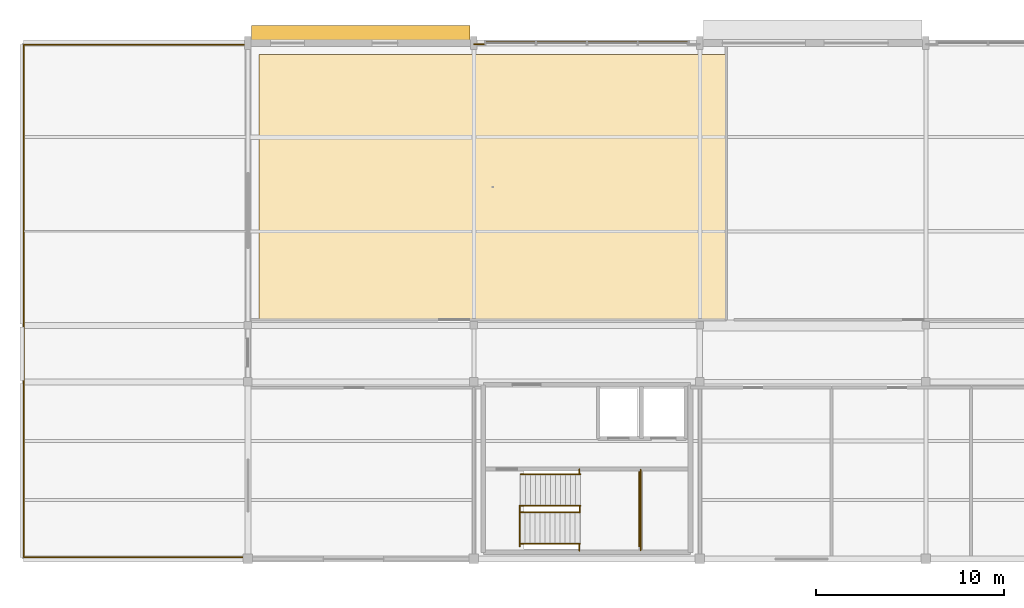
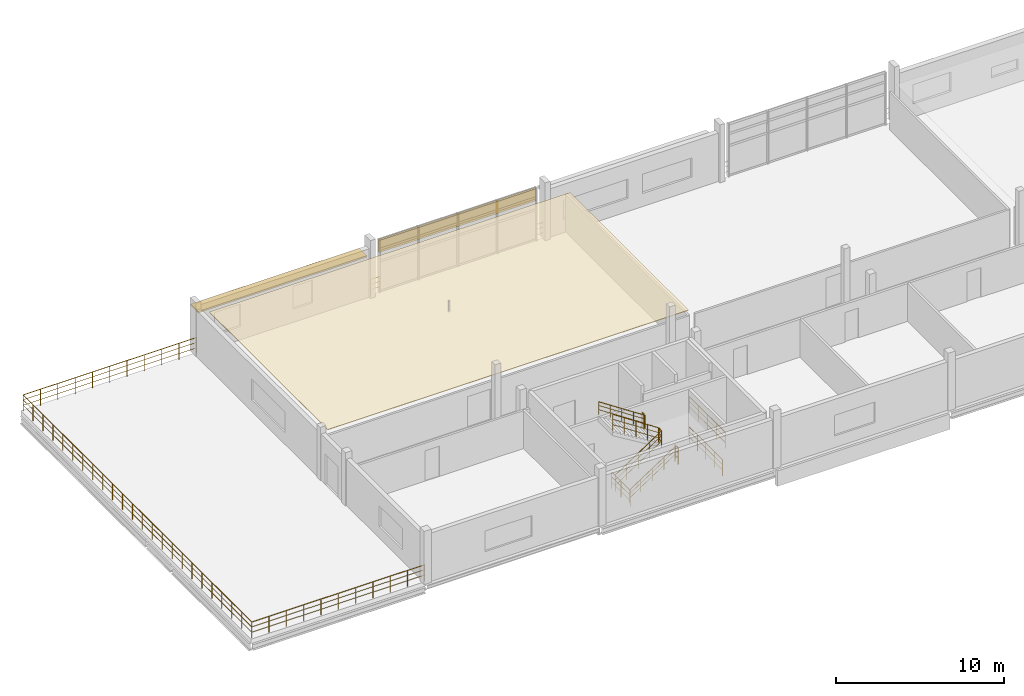
# One storey, part 12 of 13: 14 railings, 2 coverings, 1 shading device.
"""IFC4 building model written with IfcOpenShell, lengths in metres."""

import ifcopenshell
import ifcopenshell.guid

model = None  # the IFC model being written
_history = None  # IfcOwnerHistory: only IFC2X3 demands one
_inside = {}  # id of a spatial element -> (the spatial element, [elements in it])
_under = {}  # id of a project, library or spatial element -> (it, [spatial elements below it])
_declared = {}  # id of a project -> (the project, [libraries it declares])
_typed = {}  # id of a type object -> (the type object, [elements of that type])
_made_of = {}  # id of a material, layer set ... -> (it, [elements and type objects made of it])


def new_model(schema):
    """Start an empty IFC model of exactly this schema.

    Asked for "IFC4X3", IfcOpenShell would pick the latest addendum, in which some entities
    have other attributes; the version numbers below select the first issue.
    IFC2X3 requires an IfcOwnerHistory on every rooted entity: one is made here for all.
    """
    global model, _history
    if schema == "IFC4X3":
        model = ifcopenshell.file(schema_version=(4, 3, 0, 0))
    else:
        model = ifcopenshell.file(schema=schema)
    _inside.clear()
    _under.clear()
    _declared.clear()
    _typed.clear()
    _made_of.clear()
    _history = None
    if model.schema == "IFC2X3":
        org = make("IfcOrganization", Name="unknown")
        user = make(
            "IfcPersonAndOrganization",
            ThePerson=make("IfcPerson", FamilyName="unknown"),
            TheOrganization=org,
        )
        app = make(
            "IfcApplication",
            ApplicationDeveloper=org,
            Version="unknown",
            ApplicationFullName="unknown",
            ApplicationIdentifier="unknown",
        )
        _history = make(
            "IfcOwnerHistory",
            OwningUser=user,
            OwningApplication=app,
            ChangeAction="ADDED",
            CreationDate=0,
        )
    return model


def make(cls, **values):
    """One entity of the class cls with the attributes given. An attribute that is None is left unset."""
    return model.create_entity(
        cls, **{name: value for name, value in values.items() if value is not None}
    )


def rooted(cls, **values):
    """An entity with a GlobalId (a new one), such as an element, a storey or a relation."""
    return make(cls, GlobalId=ifcopenshell.guid.new(), OwnerHistory=_history, **values)


def si_unit(unit_type, name, prefix=None):
    """IfcSIUnit, for example si_unit("LENGTHUNIT", "METRE", prefix="MILLI")."""
    return make("IfcSIUnit", UnitType=unit_type, Prefix=prefix, Name=name)


def assignment(units):
    """IfcUnitAssignment: the units of a project."""
    return None if units is None else make("IfcUnitAssignment", Units=units)


def point(xyz):
    """IfcCartesianPoint."""
    return None if xyz is None else make("IfcCartesianPoint", Coordinates=xyz)


def direction(xyz):
    """IfcDirection."""
    return None if xyz is None else make("IfcDirection", DirectionRatios=xyz)


def frame(location, z_axis=None, x_axis=None):
    """IfcAxis2Placement3D, a coordinate frame: its origin and axes. An axis left out is left unset."""
    return make(
        "IfcAxis2Placement3D",
        Location=point(location),
        Axis=direction(z_axis),
        RefDirection=direction(x_axis),
    )


def frame_2d(location, x_axis=None):
    """IfcAxis2Placement2D, a coordinate frame in the plane: its origin and x axis."""
    return make(
        "IfcAxis2Placement2D", Location=point(location), RefDirection=direction(x_axis)
    )


def origin():
    """The frame at (0, 0, 0) with its axes left unset."""
    return frame((0.0, 0.0, 0.0))


def origin_2d():
    """The frame at (0, 0) in the plane with its x axis left unset."""
    return frame_2d((0.0, 0.0))


def place(relative_to, where):
    """IfcLocalPlacement: puts the frame where relative to a parent placement (None: the world)."""
    return make(
        "IfcLocalPlacement", PlacementRelTo=relative_to, RelativePlacement=where
    )


def context(
    kind, dimensions, precision=None, world=None, true_north=None, identifier=None
):
    """IfcGeometricRepresentationContext, for example the 3D "Model" context."""
    return make(
        "IfcGeometricRepresentationContext",
        ContextIdentifier=identifier,
        ContextType=kind,
        CoordinateSpaceDimension=dimensions,
        Precision=precision,
        WorldCoordinateSystem=world,
        TrueNorth=true_north,
    )


def subcontext(parent, identifier, kind, view, scale=None):
    """IfcGeometricRepresentationSubContext, for example "Body" below "Model"."""
    return make(
        "IfcGeometricRepresentationSubContext",
        ContextIdentifier=identifier,
        ContextType=kind,
        ParentContext=parent,
        TargetScale=scale,
        TargetView=view,
    )


def project(units=None, contexts=None):
    """IfcProject with its units and contexts."""
    return rooted(
        "IfcProject",
        Name="project",
        RepresentationContexts=contexts,
        UnitsInContext=assignment(units),
    )


def spatial(cls, under=None, at=None, **own):
    """A site, building, storey or space (cls), placed at a placement, below another one or the project."""
    s = rooted(cls, ObjectPlacement=at, **own)
    if under is not None:
        _under.setdefault(under.id(), (under, []))[1].append(s)
    return s


def profile(cls, at=None, kind="AREA", **sizes):
    """A parametric profile (cls). Its sizes go by their IFC names, for example OverallWidth=200.0."""
    return make(cls, ProfileType=kind, Position=at, **sizes)


def rectangle(**sizes):
    """IfcRectangleProfileDef."""
    return profile("IfcRectangleProfileDef", **sizes)


def circle(**sizes):
    """IfcCircleProfileDef."""
    return profile("IfcCircleProfileDef", **sizes)


def extrude(swept, where, along, depth):
    """IfcExtrudedAreaSolid: the profile swept, set in the frame where, extruded along a direction by depth."""
    return make(
        "IfcExtrudedAreaSolid",
        SweptArea=swept,
        Position=where,
        ExtrudedDirection=direction(along),
        Depth=depth,
    )


def shape(context_of_items, identifier, shape_type, items):
    """IfcShapeRepresentation: the items that make up one representation, for example the "Body"."""
    return make(
        "IfcShapeRepresentation",
        ContextOfItems=context_of_items,
        RepresentationIdentifier=identifier,
        RepresentationType=shape_type,
        Items=items,
    )


def material(Name=None, Category=None):
    """IfcMaterial."""
    return make("IfcMaterial", Name=Name, Category=Category)


def layer(
    of_material, thickness, ventilated=None, Name=None, Category=None, Priority=None
):
    """IfcMaterialLayer: one layer of a wall or slab, of a material (None: an air gap)."""
    return make(
        "IfcMaterialLayer",
        Material=of_material,
        LayerThickness=thickness,
        IsVentilated=ventilated,
        Name=Name,
        Category=Category,
        Priority=Priority,
    )


def layer_set(layers, Name=None):
    """IfcMaterialLayerSet."""
    return make("IfcMaterialLayerSet", MaterialLayers=layers, LayerSetName=Name)


def made_of(thing, what):
    """Note that an element or type object is made of a material, layer set ...; save() writes the relation."""
    if what is not None:
        _made_of.setdefault(what.id(), (what, []))[1].append(thing)
    return thing


def type_object(cls, material=None, **own):
    """A type object (cls), such as IfcWallType, which elements share."""
    return made_of(rooted(cls, **own), material)


def element(
    cls,
    number,
    at=None,
    inside=None,
    cuts=None,
    type_object=None,
    material=None,
    context=None,
    identifier="Body",
    shape_type=None,
    held_by="IfcProductDefinitionShape",
    body=None,
    shapes=None,
    **own,
):
    """One element of the class cls, such as IfcWall. Its Tag is "e" and its number.

    at: its placement. inside: the storey or other place that contains it. cuts: it is an
    opening in that element (IfcRelVoidsElement). A single representation is given by context,
    identifier, shape_type and body (its items); several are given by shapes. held_by: the class
    of the entity that holds the representations. save() writes the other relations.
    """
    e = rooted(cls, Tag="e%d" % number, ObjectPlacement=at, **own)
    if body is not None:
        shapes = [shape(context, identifier, shape_type, body)]
    if shapes is not None:
        e.Representation = make(held_by, Representations=shapes)
    if inside is not None:
        _inside.setdefault(inside.id(), (inside, []))[1].append(e)
    if cuts is not None:
        rooted(
            "IfcRelVoidsElement", RelatingBuildingElement=cuts, RelatedOpeningElement=e
        )
    if type_object is not None:
        _typed.setdefault(type_object.id(), (type_object, []))[1].append(e)
    return made_of(e, material)


def aggregate(whole, parts):
    """IfcRelAggregates: a whole, such as a stair, and the parts it consists of."""
    return rooted("IfcRelAggregates", RelatingObject=whole, RelatedObjects=parts)


def save(model, path):
    """Write the relations noted so far, then the file.

    IfcRelAggregates (storeys below a building ...), IfcRelContainedInSpatialStructure (elements
    in a storey), IfcRelDefinesByType, IfcRelAssociatesMaterial and IfcRelDeclares: one each for
    every whole, place, type object, material and project.
    """
    for whole, parts in _under.values():
        aggregate(whole, parts)
    for where, things in _inside.values():
        rooted(
            "IfcRelContainedInSpatialStructure",
            RelatedElements=things,
            RelatingStructure=where,
        )
    for kind, things in _typed.values():
        rooted("IfcRelDefinesByType", RelatedObjects=things, RelatingType=kind)
    for what, things in _made_of.values():
        rooted("IfcRelAssociatesMaterial", RelatedObjects=things, RelatingMaterial=what)
    for by, libraries in _declared.values():
        rooted("IfcRelDeclares", RelatingContext=by, RelatedDefinitions=libraries)
    model.write(path)


model = new_model("IFC4")

# Units and contexts
model_context = context("Model", 3, precision=1e-05, world=origin(), true_north=direction((0.0, 1.0)))
body_context = subcontext(model_context, "Body", "Model", "MODEL_VIEW")
ifc_project = project(units=[si_unit("LENGTHUNIT", "METRE"), si_unit("AREAUNIT", "SQUARE_METRE"), si_unit("VOLUMEUNIT", "CUBIC_METRE"), si_unit("PLANEANGLEUNIT", "RADIAN"), si_unit("MASSUNIT", "GRAM", prefix="KILO"), si_unit("THERMODYNAMICTEMPERATUREUNIT", "KELVIN"), si_unit("POWERUNIT", "WATT")], contexts=[model_context])

# Site, building, storey
site_placement = place(None, origin())
site = spatial("IfcSite", under=ifc_project, at=site_placement, CompositionType="ELEMENT")
building_placement = place(site_placement, origin())
building = spatial("IfcBuilding", under=site, at=building_placement, Name="Solmara Park Aquatics Centre", CompositionType="ELEMENT")
storey_placement = place(building_placement, frame((0.0, 0.0, 14.39990234375)))
storey = spatial("IfcBuildingStorey", under=building, at=storey_placement, Name="L03", CompositionType="ELEMENT", Elevation=14.39990234375)

# Coverings
ifc_material_1 = material(Name="Perforated Anodised Bronze Solar Screen", Category="aluminium")
ifc_layer_1 = layer(ifc_material_1, 0.1201171875, Name="Perforated Anodised Bronze Solar Screen")
ifc_layer_set_1 = layer_set([ifc_layer_1], Name="Perforated Anodised Bronze Solar Screen")
covering_type_1 = type_object("IfcCoveringType", Name="ARC-COV-BRONZE", PredefinedType="CLADDING", material=ifc_layer_set_1)
covering_1_placement = place(storey_placement, frame((54.60009765625, 136.050048828125, 2.85009765625), z_axis=(0.0, 0.0, 1.0), x_axis=(1.0, 0.0, 0.0)))
element("IfcCovering", 1, at=covering_1_placement, inside=storey, type_object=covering_type_1, Name="Perforated Bronze Solar Screen 010", PredefinedType="CLADDING", context=body_context, shape_type="SweptSolid", body=[
    extrude(rectangle(XDim=10.800048828125, YDim=0.1201171875, at=origin_2d()), origin(), (0.0, 0.0, 1.0), 0.89990234375),
])
ifc_material_2 = material(Name="Moisture-Resistant Perforated Acoustic Gypsum Ceiling", Category="gypsum")
ifc_layer_2 = layer(ifc_material_2, 0.0400390625, Name="Moisture-Resistant Perforated Acoustic Gypsum Ceiling")
ifc_layer_set_2 = layer_set([ifc_layer_2], Name="Moisture-Resistant Perforated Acoustic Gypsum Ceiling")
covering_type_2 = type_object("IfcCoveringType", Name="ARC-COV-CEIL", PredefinedType="CEILING", material=ifc_layer_set_2)
covering_2_placement = place(storey_placement, frame((49.60009765625, 128.35009765625, 3.080078125), z_axis=(0.0, 0.0, 1.0), x_axis=(1.0, 0.0, 0.0)))
element("IfcCovering", 2, at=covering_2_placement, inside=storey, type_object=covering_type_2, Name="Acoustic Suspended Ceiling L03-SEM-01", PredefinedType="CEILING", context=body_context, shape_type="SweptSolid", body=[
    extrude(rectangle(XDim=24.800048828125, YDim=14.10009765625, at=origin_2d()), origin(), (0.0, 0.0, 1.0), 0.0400390625),
])

# Railings
ifc_material_3 = material(Name="Laminated Safety Glass and Stainless Steel Guardrail", Category="steel")
ifc_layer_3 = layer(ifc_material_3, 0.06005859375, Name="Laminated Safety Glass and Stainless Steel Guardrail")
ifc_layer_set_3 = layer_set([ifc_layer_3], Name="Laminated Safety Glass and Stainless Steel Guardrail")
railing_type_1 = type_object("IfcRailingType", Name="ARC-RL-BAL110", PredefinedType="GUARDRAIL", material=ifc_layer_set_3)
railing_1_placement = place(storey_placement, frame((24.699951171875, 108.699951171875, 0.0)))
element("IfcRailing", 3, at=railing_1_placement, inside=storey, type_object=railing_type_1, Name="Belvedere Terrace Guardrail RL-TER-L03-W", PredefinedType="GUARDRAIL", context=body_context, shape_type="SweptSolid", body=[
    extrude(circle(Radius=0.02392578125, at=origin_2d()), frame((0.0, 0.0, 1.15576171875), z_axis=(0.0, 1.0, 0.0), x_axis=(-1.0, 0.0, 0.0)), (0.0, 0.0, 1.0), 27.199951171875),
    extrude(circle(Radius=0.01416015625, at=origin_2d()), frame((0.0, 0.0, 0.4130859375), z_axis=(0.0, 1.0, 0.0), x_axis=(-1.0, 0.0, 0.0)), (0.0, 0.0, 1.0), 27.199951171875),
    extrude(circle(Radius=0.01416015625, at=origin_2d()), frame((0.0, 0.0, 0.80224609375), z_axis=(0.0, 1.0, 0.0), x_axis=(-1.0, 0.0, 0.0)), (0.0, 0.0, 1.0), 27.199951171875),
    extrude(circle(Radius=0.02099609375, at=origin_2d()), origin(), (0.0, 0.0, 1.0), 1.1318359375),
    extrude(circle(Radius=0.02099609375, at=origin_2d()), frame((0.0, 1.1826171875, 0.0)), (0.0, 0.0, 1.0), 1.1318359375),
    extrude(circle(Radius=0.02099609375, at=origin_2d()), frame((0.0, 2.365234375, 0.0)), (0.0, 0.0, 1.0), 1.1318359375),
    extrude(circle(Radius=0.02099609375, at=origin_2d()), frame((0.0, 3.5478515625, 0.0)), (0.0, 0.0, 1.0), 1.1318359375),
    extrude(circle(Radius=0.02099609375, at=origin_2d()), frame((0.0, 4.73046875, 0.0)), (0.0, 0.0, 1.0), 1.1318359375),
    extrude(circle(Radius=0.02099609375, at=origin_2d()), frame((0.0, 5.9130859375, 0.0)), (0.0, 0.0, 1.0), 1.1318359375),
    extrude(circle(Radius=0.02099609375, at=origin_2d()), frame((0.0, 7.095703125, 0.0)), (0.0, 0.0, 1.0), 1.1318359375),
    extrude(circle(Radius=0.02099609375, at=origin_2d()), frame((0.0, 8.2783203125, 0.0)), (0.0, 0.0, 1.0), 1.1318359375),
    extrude(circle(Radius=0.02099609375, at=origin_2d()), frame((0.0, 9.4609375, 0.0)), (0.0, 0.0, 1.0), 1.1318359375),
    extrude(circle(Radius=0.02099609375, at=origin_2d()), frame((0.0, 10.6435546875, 0.0)), (0.0, 0.0, 1.0), 1.1318359375),
    extrude(circle(Radius=0.02099609375, at=origin_2d()), frame((0.0, 11.826171875, 0.0)), (0.0, 0.0, 1.0), 1.1318359375),
    extrude(circle(Radius=0.02099609375, at=origin_2d()), frame((0.0, 13.0087890625, 0.0)), (0.0, 0.0, 1.0), 1.1318359375),
    extrude(circle(Radius=0.02099609375, at=origin_2d()), frame((0.0, 14.191162109375, 0.0)), (0.0, 0.0, 1.0), 1.1318359375),
    extrude(circle(Radius=0.02099609375, at=origin_2d()), frame((0.0, 15.373779296875, 0.0)), (0.0, 0.0, 1.0), 1.1318359375),
    extrude(circle(Radius=0.02099609375, at=origin_2d()), frame((0.0, 16.556396484375, 0.0)), (0.0, 0.0, 1.0), 1.1318359375),
    extrude(circle(Radius=0.02099609375, at=origin_2d()), frame((0.0, 17.739013671875, 0.0)), (0.0, 0.0, 1.0), 1.1318359375),
    extrude(circle(Radius=0.02099609375, at=origin_2d()), frame((0.0, 18.921630859375, 0.0)), (0.0, 0.0, 1.0), 1.1318359375),
    extrude(circle(Radius=0.02099609375, at=origin_2d()), frame((0.0, 20.104248046875, 0.0)), (0.0, 0.0, 1.0), 1.1318359375),
    extrude(circle(Radius=0.02099609375, at=origin_2d()), frame((0.0, 21.286865234375, 0.0)), (0.0, 0.0, 1.0), 1.1318359375),
    extrude(circle(Radius=0.02099609375, at=origin_2d()), frame((0.0, 22.469482421875, 0.0)), (0.0, 0.0, 1.0), 1.1318359375),
    extrude(circle(Radius=0.02099609375, at=origin_2d()), frame((0.0, 23.652099609375, 0.0)), (0.0, 0.0, 1.0), 1.1318359375),
    extrude(circle(Radius=0.02099609375, at=origin_2d()), frame((0.0, 24.834716796875, 0.0)), (0.0, 0.0, 1.0), 1.1318359375),
    extrude(circle(Radius=0.02099609375, at=origin_2d()), frame((0.0, 26.017333984375, 0.0)), (0.0, 0.0, 1.0), 1.1318359375),
    extrude(circle(Radius=0.02099609375, at=origin_2d()), frame((0.0, 27.199951171875, 0.0)), (0.0, 0.0, 1.0), 1.1318359375),
])
railing_2_placement = place(storey_placement, frame((24.699951171875, 108.699951171875, 0.0)))
element("IfcRailing", 4, at=railing_2_placement, inside=storey, type_object=railing_type_1, Name="Belvedere Terrace Guardrail RL-TER-L03-S", PredefinedType="GUARDRAIL", context=body_context, shape_type="SweptSolid", body=[
    extrude(circle(Radius=0.02392578125, at=origin_2d()), frame((0.0, 0.0, 1.15576171875), z_axis=(1.0, 0.0, 0.0), x_axis=(0.0, 1.0, 0.0)), (0.0, 0.0, 1.0), 11.900146484375),
    extrude(circle(Radius=0.01416015625, at=origin_2d()), frame((0.0, 0.0, 0.4130859375), z_axis=(1.0, 0.0, 0.0), x_axis=(0.0, 1.0, 0.0)), (0.0, 0.0, 1.0), 11.900146484375),
    extrude(circle(Radius=0.01416015625, at=origin_2d()), frame((0.0, 0.0, 0.80224609375), z_axis=(1.0, 0.0, 0.0), x_axis=(0.0, 1.0, 0.0)), (0.0, 0.0, 1.0), 11.900146484375),
    extrude(circle(Radius=0.02099609375, at=origin_2d()), origin(), (0.0, 0.0, 1.0), 1.1318359375),
    extrude(circle(Radius=0.02099609375, at=origin_2d()), frame((1.18994140625, 0.0, 0.0)), (0.0, 0.0, 1.0), 1.1318359375),
    extrude(circle(Radius=0.02099609375, at=origin_2d()), frame((2.380126953125, 0.0, 0.0)), (0.0, 0.0, 1.0), 1.1318359375),
    extrude(circle(Radius=0.02099609375, at=origin_2d()), frame((3.570068359375, 0.0, 0.0)), (0.0, 0.0, 1.0), 1.1318359375),
    extrude(circle(Radius=0.02099609375, at=origin_2d()), frame((4.760009765625, 0.0, 0.0)), (0.0, 0.0, 1.0), 1.1318359375),
    extrude(circle(Radius=0.02099609375, at=origin_2d()), frame((5.9501953125, 0.0, 0.0)), (0.0, 0.0, 1.0), 1.1318359375),
    extrude(circle(Radius=0.02099609375, at=origin_2d()), frame((7.14013671875, 0.0, 0.0)), (0.0, 0.0, 1.0), 1.1318359375),
    extrude(circle(Radius=0.02099609375, at=origin_2d()), frame((8.330078125, 0.0, 0.0)), (0.0, 0.0, 1.0), 1.1318359375),
    extrude(circle(Radius=0.02099609375, at=origin_2d()), frame((9.52001953125, 0.0, 0.0)), (0.0, 0.0, 1.0), 1.1318359375),
    extrude(circle(Radius=0.02099609375, at=origin_2d()), frame((10.710205078125, 0.0, 0.0)), (0.0, 0.0, 1.0), 1.1318359375),
    extrude(circle(Radius=0.02099609375, at=origin_2d()), frame((11.900146484375, 0.0, 0.0)), (0.0, 0.0, 1.0), 1.1318359375),
])
railing_3_placement = place(storey_placement, frame((24.699951171875, 135.89990234375, 0.0)))
element("IfcRailing", 5, at=railing_3_placement, inside=storey, type_object=railing_type_1, Name="Belvedere Terrace Guardrail RL-TER-L03-N", PredefinedType="GUARDRAIL", context=body_context, shape_type="SweptSolid", body=[
    extrude(circle(Radius=0.02392578125, at=origin_2d()), frame((0.0, 0.0, 1.15576171875), z_axis=(1.0, 0.0, 0.0), x_axis=(0.0, 1.0, 0.0)), (0.0, 0.0, 1.0), 11.900146484375),
    extrude(circle(Radius=0.01416015625, at=origin_2d()), frame((0.0, 0.0, 0.4130859375), z_axis=(1.0, 0.0, 0.0), x_axis=(0.0, 1.0, 0.0)), (0.0, 0.0, 1.0), 11.900146484375),
    extrude(circle(Radius=0.01416015625, at=origin_2d()), frame((0.0, 0.0, 0.80224609375), z_axis=(1.0, 0.0, 0.0), x_axis=(0.0, 1.0, 0.0)), (0.0, 0.0, 1.0), 11.900146484375),
    extrude(circle(Radius=0.02099609375, at=origin_2d()), origin(), (0.0, 0.0, 1.0), 1.1318359375),
    extrude(circle(Radius=0.02099609375, at=origin_2d()), frame((1.18994140625, 0.0, 0.0)), (0.0, 0.0, 1.0), 1.1318359375),
    extrude(circle(Radius=0.02099609375, at=origin_2d()), frame((2.380126953125, 0.0, 0.0)), (0.0, 0.0, 1.0), 1.1318359375),
    extrude(circle(Radius=0.02099609375, at=origin_2d()), frame((3.570068359375, 0.0, 0.0)), (0.0, 0.0, 1.0), 1.1318359375),
    extrude(circle(Radius=0.02099609375, at=origin_2d()), frame((4.760009765625, 0.0, 0.0)), (0.0, 0.0, 1.0), 1.1318359375),
    extrude(circle(Radius=0.02099609375, at=origin_2d()), frame((5.9501953125, 0.0, 0.0)), (0.0, 0.0, 1.0), 1.1318359375),
    extrude(circle(Radius=0.02099609375, at=origin_2d()), frame((7.14013671875, 0.0, 0.0)), (0.0, 0.0, 1.0), 1.1318359375),
    extrude(circle(Radius=0.02099609375, at=origin_2d()), frame((8.330078125, 0.0, 0.0)), (0.0, 0.0, 1.0), 1.1318359375),
    extrude(circle(Radius=0.02099609375, at=origin_2d()), frame((9.52001953125, 0.0, 0.0)), (0.0, 0.0, 1.0), 1.1318359375),
    extrude(circle(Radius=0.02099609375, at=origin_2d()), frame((10.710205078125, 0.0, 0.0)), (0.0, 0.0, 1.0), 1.1318359375),
    extrude(circle(Radius=0.02099609375, at=origin_2d()), frame((11.900146484375, 0.0, 0.0)), (0.0, 0.0, 1.0), 1.1318359375),
])
ifc_material_4 = material(Name="Brushed Marine-Grade Stainless Steel 316L Handrail", Category="steel")
ifc_layer_4 = layer(ifc_material_4, 0.044921875, Name="Brushed Marine-Grade Stainless Steel 316L Handrail")
ifc_layer_set_4 = layer_set([ifc_layer_4], Name="Brushed Marine-Grade Stainless Steel 316L Handrail")
railing_type_2 = type_object("IfcRailingType", Name="ARC-RL-HND090", PredefinedType="HANDRAIL", material=ifc_layer_set_4)
railing_4_placement = place(storey_placement, frame((51.050048828125, 109.409912109375, 0.16162109375)))
element("IfcRailing", 6, at=railing_4_placement, inside=storey, type_object=railing_type_2, Name="ST-01 Protected Exit Stair (L03 to L04) Flight 1 Outer Handrail", PredefinedType="HANDRAIL", context=body_context, shape_type="SweptSolid", body=[
    extrude(circle(Radius=0.02392578125, at=origin_2d()), frame((0.0, 0.0, 0.89599609375), z_axis=(0.834447378162, 0.0, 0.551087627405), x_axis=(0.0, 1.0, 0.0)), (0.0, 0.0, 1.0), 3.810791015625),
    extrude(circle(Radius=0.01416015625, at=origin_2d()), frame((0.0, 0.0, 0.322021484375), z_axis=(0.834447378162, 0.0, 0.551087627405), x_axis=(0.0, 1.0, 0.0)), (0.0, 0.0, 1.0), 3.810791015625),
    extrude(circle(Radius=0.01416015625, at=origin_2d()), frame((0.0, 0.0, 0.62548828125), z_axis=(0.834447378162, 0.0, 0.551087627405), x_axis=(0.0, 1.0, 0.0)), (0.0, 0.0, 1.0), 3.810791015625),
    extrude(circle(Radius=0.02099609375, at=origin_2d()), origin(), (0.0, 0.0, 1.0), 0.871826171875),
    extrude(circle(Radius=0.02099609375, at=origin_2d()), frame((0.794921875, 0.0, 0.52490234375)), (0.0, 0.0, 1.0), 0.871826171875),
    extrude(circle(Radius=0.02099609375, at=origin_2d()), frame((1.58984375, 0.0, 1.050048828125)), (0.0, 0.0, 1.0), 0.871826171875),
    extrude(circle(Radius=0.02099609375, at=origin_2d()), frame((2.385009765625, 0.0, 1.5751953125)), (0.0, 0.0, 1.0), 0.871826171875),
    extrude(circle(Radius=0.02099609375, at=origin_2d()), frame((3.179931640625, 0.0, 2.10009765625)), (0.0, 0.0, 1.0), 0.871826171875),
])
railing_5_placement = place(storey_placement, frame((54.260009765625, 113.090087890625, 2.26171875)))
element("IfcRailing", 7, at=railing_5_placement, inside=storey, type_object=railing_type_2, Name="ST-01 Protected Exit Stair (L03 to L04) Flight 2 Outer Handrail", PredefinedType="HANDRAIL", context=body_context, shape_type="SweptSolid", body=[
    extrude(circle(Radius=0.02392578125, at=origin_2d()), frame((0.0, 0.0, 0.89599609375), z_axis=(-0.834476838559, 0.0, 0.551043016387), x_axis=(0.0, -1.0, 0.0)), (0.0, 0.0, 1.0), 3.810791015625),
    extrude(circle(Radius=0.01416015625, at=origin_2d()), frame((0.0, 0.0, 0.322021484375), z_axis=(-0.834476838559, 0.0, 0.551043016387), x_axis=(0.0, -1.0, 0.0)), (0.0, 0.0, 1.0), 3.810791015625),
    extrude(circle(Radius=0.01416015625, at=origin_2d()), frame((0.0, 0.0, 0.62548828125), z_axis=(-0.834476838559, 0.0, 0.551043016387), x_axis=(0.0, -1.0, 0.0)), (0.0, 0.0, 1.0), 3.810791015625),
    extrude(circle(Radius=0.02099609375, at=origin_2d()), origin(), (0.0, 0.0, 1.0), 0.871826171875),
    extrude(circle(Radius=0.02099609375, at=origin_2d()), frame((-0.794921875, 0.0, 0.52490234375)), (0.0, 0.0, 1.0), 0.871826171875),
    extrude(circle(Radius=0.02099609375, at=origin_2d()), frame((-1.58984375, 0.0, 1.0498046875)), (0.0, 0.0, 1.0), 0.871826171875),
    extrude(circle(Radius=0.02099609375, at=origin_2d()), frame((-2.385009765625, 0.0, 1.574951171875)), (0.0, 0.0, 1.0), 0.871826171875),
    extrude(circle(Radius=0.02099609375, at=origin_2d()), frame((-3.179931640625, 0.0, 2.099853515625)), (0.0, 0.0, 1.0), 0.871826171875),
])
ifc_material_5 = material(Name="Toughened Glass and Stainless Steel Stand Guardrail", Category="steel")
ifc_layer_5 = layer(ifc_material_5, 0.06005859375, Name="Toughened Glass and Stainless Steel Stand Guardrail")
ifc_layer_set_5 = layer_set([ifc_layer_5], Name="Toughened Glass and Stainless Steel Stand Guardrail")
railing_type_3 = type_object("IfcRailingType", Name="ARC-RL-STD110", PredefinedType="GUARDRAIL", material=ifc_layer_set_5)
railing_6_placement = place(storey_placement, frame((48.60009765625, 135.93994140625, 0.0)))
element("IfcRailing", 8, at=railing_6_placement, inside=storey, type_object=railing_type_3, Name="L03 Slab Edge Guardrail 107", PredefinedType="GUARDRAIL", context=body_context, shape_type="SweptSolid", body=[
    extrude(circle(Radius=0.02392578125, at=origin_2d()), frame((0.0, 0.0, 1.15576171875), z_axis=(1.0, 0.0, 0.0), x_axis=(0.0, 1.0, 0.0)), (0.0, 0.0, 1.0), 0.619873046875),
    extrude(circle(Radius=0.01416015625, at=origin_2d()), frame((0.0, 0.0, 0.4130859375), z_axis=(1.0, 0.0, 0.0), x_axis=(0.0, 1.0, 0.0)), (0.0, 0.0, 1.0), 0.619873046875),
    extrude(circle(Radius=0.01416015625, at=origin_2d()), frame((0.0, 0.0, 0.80224609375), z_axis=(1.0, 0.0, 0.0), x_axis=(0.0, 1.0, 0.0)), (0.0, 0.0, 1.0), 0.619873046875),
    extrude(circle(Radius=0.02099609375, at=origin_2d()), origin(), (0.0, 0.0, 1.0), 1.1318359375),
    extrude(circle(Radius=0.02099609375, at=origin_2d()), frame((0.619873046875, 0.0, 0.0)), (0.0, 0.0, 1.0), 1.1318359375),
])
ifc_material_6 = material(Name="Brushed Stainless Steel Guardrail", Category="steel")
ifc_layer_6 = layer(ifc_material_6, 0.050048828125, Name="Brushed Stainless Steel Guardrail")
ifc_layer_set_6 = layer_set([ifc_layer_6], Name="Brushed Stainless Steel Guardrail")
railing_type_4 = type_object("IfcRailingType", Name="ARC-RL-STR110", PredefinedType="GUARDRAIL", material=ifc_layer_set_6)
railing_7_placement = place(storey_placement, frame((51.030029296875, 109.27001953125, 0.0)))
element("IfcRailing", 9, at=railing_7_placement, inside=storey, type_object=railing_type_4, Name="ST-01 Protected Exit Stair (L02 to L03) Arrival Well Guardrail", PredefinedType="GUARDRAIL", context=body_context, shape_type="SweptSolid", body=[
    extrude(circle(Radius=0.02392578125, at=origin_2d()), frame((0.0, 0.0, 1.15576171875), z_axis=(0.0, 1.0, 0.0), x_axis=(-1.0, 0.0, 0.0)), (0.0, 0.0, 1.0), 2.169921875),
    extrude(circle(Radius=0.01416015625, at=origin_2d()), frame((0.0, 0.0, 0.4130859375), z_axis=(0.0, 1.0, 0.0), x_axis=(-1.0, 0.0, 0.0)), (0.0, 0.0, 1.0), 2.169921875),
    extrude(circle(Radius=0.01416015625, at=origin_2d()), frame((0.0, 0.0, 0.80224609375), z_axis=(0.0, 1.0, 0.0), x_axis=(-1.0, 0.0, 0.0)), (0.0, 0.0, 1.0), 2.169921875),
    extrude(circle(Radius=0.02099609375, at=origin_2d()), origin(), (0.0, 0.0, 1.0), 1.1318359375),
    extrude(circle(Radius=0.02099609375, at=origin_2d()), frame((0.0, 1.0849609375, 0.0)), (0.0, 0.0, 1.0), 1.1318359375),
    extrude(circle(Radius=0.02099609375, at=origin_2d()), frame((0.0, 2.169921875, 0.0)), (0.0, 0.0, 1.0), 1.1318359375),
])
railing_8_placement = place(storey_placement, frame((57.3798828125, 109.27001953125, 0.0)))
element("IfcRailing", 10, at=railing_8_placement, inside=storey, type_object=railing_type_4, Name="ST-01 Protected Exit Stair (L02 to L03) Far Well Edge Guardrail", PredefinedType="GUARDRAIL", context=body_context, shape_type="SweptSolid", body=[
    extrude(circle(Radius=0.02392578125, at=origin_2d()), frame((0.0, 0.0, 1.15576171875), z_axis=(0.0, 1.0, 0.0), x_axis=(-1.0, 0.0, 0.0)), (0.0, 0.0, 1.0), 3.9599609375),
    extrude(circle(Radius=0.01416015625, at=origin_2d()), frame((0.0, 0.0, 0.4130859375), z_axis=(0.0, 1.0, 0.0), x_axis=(-1.0, 0.0, 0.0)), (0.0, 0.0, 1.0), 3.9599609375),
    extrude(circle(Radius=0.01416015625, at=origin_2d()), frame((0.0, 0.0, 0.80224609375), z_axis=(0.0, 1.0, 0.0), x_axis=(-1.0, 0.0, 0.0)), (0.0, 0.0, 1.0), 3.9599609375),
    extrude(circle(Radius=0.02099609375, at=origin_2d()), origin(), (0.0, 0.0, 1.0), 1.1318359375),
    extrude(circle(Radius=0.02099609375, at=origin_2d()), frame((0.0, 0.989990234375, 0.0)), (0.0, 0.0, 1.0), 1.1318359375),
    extrude(circle(Radius=0.02099609375, at=origin_2d()), frame((0.0, 1.97998046875, 0.0)), (0.0, 0.0, 1.0), 1.1318359375),
    extrude(circle(Radius=0.02099609375, at=origin_2d()), frame((0.0, 2.969970703125, 0.0)), (0.0, 0.0, 1.0), 1.1318359375),
    extrude(circle(Radius=0.02099609375, at=origin_2d()), frame((0.0, 3.9599609375, 0.0)), (0.0, 0.0, 1.0), 1.1318359375),
])
railing_9_placement = place(storey_placement, frame((51.050048828125, 111.080078125, 0.0)))
element("IfcRailing", 11, at=railing_9_placement, inside=storey, type_object=railing_type_4, Name="ST-01 Protected Exit Stair (L03 to L04) Flight 1 Inner Guardrail", PredefinedType="GUARDRAIL", context=body_context, shape_type="SweptSolid", body=[
    extrude(circle(Radius=0.02392578125, at=origin_2d()), frame((0.0, 0.0, 1.15576171875), z_axis=(0.834447378162, 0.0, 0.551087627405), x_axis=(0.0, 1.0, 0.0)), (0.0, 0.0, 1.0), 3.810791015625),
    extrude(circle(Radius=0.01416015625, at=origin_2d()), frame((0.0, 0.0, 0.4130859375), z_axis=(0.834447378162, 0.0, 0.551087627405), x_axis=(0.0, 1.0, 0.0)), (0.0, 0.0, 1.0), 3.810791015625),
    extrude(circle(Radius=0.01416015625, at=origin_2d()), frame((0.0, 0.0, 0.80224609375), z_axis=(0.834447378162, 0.0, 0.551087627405), x_axis=(0.0, 1.0, 0.0)), (0.0, 0.0, 1.0), 3.810791015625),
    extrude(circle(Radius=0.02099609375, at=origin_2d()), origin(), (0.0, 0.0, 1.0), 1.1318359375),
    extrude(circle(Radius=0.02099609375, at=origin_2d()), frame((0.794921875, 0.0, 0.52490234375)), (0.0, 0.0, 1.0), 1.1318359375),
    extrude(circle(Radius=0.02099609375, at=origin_2d()), frame((1.58984375, 0.0, 1.050048828125)), (0.0, 0.0, 1.0), 1.1318359375),
    extrude(circle(Radius=0.02099609375, at=origin_2d()), frame((2.385009765625, 0.0, 1.5751953125)), (0.0, 0.0, 1.0), 1.1318359375),
    extrude(circle(Radius=0.02099609375, at=origin_2d()), frame((3.179931640625, 0.0, 2.10009765625)), (0.0, 0.0, 1.0), 1.1318359375),
])
railing_10_placement = place(storey_placement, frame((54.260009765625, 111.419921875, 2.10009765625)))
element("IfcRailing", 12, at=railing_10_placement, inside=storey, type_object=railing_type_4, Name="ST-01 Protected Exit Stair (L03 to L04) Flight 2 Inner Guardrail", PredefinedType="GUARDRAIL", context=body_context, shape_type="SweptSolid", body=[
    extrude(circle(Radius=0.02392578125, at=origin_2d()), frame((0.0, 0.0, 1.15576171875), z_axis=(-0.834447378162, 0.0, 0.551087627405), x_axis=(0.0, -1.0, 0.0)), (0.0, 0.0, 1.0), 3.810791015625),
    extrude(circle(Radius=0.01416015625, at=origin_2d()), frame((0.0, 0.0, 0.4130859375), z_axis=(-0.834447378162, 0.0, 0.551087627405), x_axis=(0.0, -1.0, 0.0)), (0.0, 0.0, 1.0), 3.810791015625),
    extrude(circle(Radius=0.01416015625, at=origin_2d()), frame((0.0, 0.0, 0.80224609375), z_axis=(-0.834447378162, 0.0, 0.551087627405), x_axis=(0.0, -1.0, 0.0)), (0.0, 0.0, 1.0), 3.810791015625),
    extrude(circle(Radius=0.02099609375, at=origin_2d()), origin(), (0.0, 0.0, 1.0), 1.1318359375),
    extrude(circle(Radius=0.02099609375, at=origin_2d()), frame((-0.794921875, 0.0, 0.52490234375)), (0.0, 0.0, 1.0), 1.1318359375),
    extrude(circle(Radius=0.02099609375, at=origin_2d()), frame((-1.58984375, 0.0, 1.050048828125)), (0.0, 0.0, 1.0), 1.1318359375),
    extrude(circle(Radius=0.02099609375, at=origin_2d()), frame((-2.385009765625, 0.0, 1.5751953125)), (0.0, 0.0, 1.0), 1.1318359375),
    extrude(circle(Radius=0.02099609375, at=origin_2d()), frame((-3.179931640625, 0.0, 2.10009765625)), (0.0, 0.0, 1.0), 1.1318359375),
])
railing_11_placement = place(storey_placement, frame((54.22998046875, 111.06005859375, 2.10009765625)))
element("IfcRailing", 13, at=railing_11_placement, inside=storey, type_object=railing_type_4, Name="ST-01 Protected Exit Stair (L03 to L04) Half-Landing Well Guardrail", PredefinedType="GUARDRAIL", context=body_context, shape_type="SweptSolid", body=[
    extrude(circle(Radius=0.02392578125, at=origin_2d()), frame((0.0, 0.0, 1.15576171875), z_axis=(0.0, 1.0, 0.0), x_axis=(-1.0, 0.0, 0.0)), (0.0, 0.0, 1.0), 0.3798828125),
    extrude(circle(Radius=0.01416015625, at=origin_2d()), frame((0.0, 0.0, 0.4130859375), z_axis=(0.0, 1.0, 0.0), x_axis=(-1.0, 0.0, 0.0)), (0.0, 0.0, 1.0), 0.3798828125),
    extrude(circle(Radius=0.01416015625, at=origin_2d()), frame((0.0, 0.0, 0.80224609375), z_axis=(0.0, 1.0, 0.0), x_axis=(-1.0, 0.0, 0.0)), (0.0, 0.0, 1.0), 0.3798828125),
    extrude(circle(Radius=0.02099609375, at=origin_2d()), origin(), (0.0, 0.0, 1.0), 1.1318359375),
    extrude(circle(Radius=0.02099609375, at=origin_2d()), frame((0.0, 0.3798828125, 0.0)), (0.0, 0.0, 1.0), 1.1318359375),
])
railing_12_placement = place(storey_placement, frame((54.199951171875, 109.0400390625, 2.10009765625)))
element("IfcRailing", 14, at=railing_12_placement, inside=storey, type_object=railing_type_4, Name="ST-01 Protected Exit Stair (L03 to L04) Half-Landing South Slot Guardrail", PredefinedType="GUARDRAIL", context=body_context, shape_type="SweptSolid", body=[
    extrude(circle(Radius=0.02392578125, at=origin_2d()), frame((0.0, 0.0, 1.15576171875), z_axis=(0.0, 1.0, 0.0), x_axis=(-1.0, 0.0, 0.0)), (0.0, 0.0, 1.0), 0.35986328125),
    extrude(circle(Radius=0.01416015625, at=origin_2d()), frame((0.0, 0.0, 0.4130859375), z_axis=(0.0, 1.0, 0.0), x_axis=(-1.0, 0.0, 0.0)), (0.0, 0.0, 1.0), 0.35986328125),
    extrude(circle(Radius=0.01416015625, at=origin_2d()), frame((0.0, 0.0, 0.80224609375), z_axis=(0.0, 1.0, 0.0), x_axis=(-1.0, 0.0, 0.0)), (0.0, 0.0, 1.0), 0.35986328125),
    extrude(circle(Radius=0.02099609375, at=origin_2d()), origin(), (0.0, 0.0, 1.0), 1.1318359375),
    extrude(circle(Radius=0.02099609375, at=origin_2d()), frame((0.0, 0.35986328125, 0.0)), (0.0, 0.0, 1.0), 1.1318359375),
])
railing_13_placement = place(storey_placement, frame((54.199951171875, 113.10009765625, 2.10009765625)))
element("IfcRailing", 15, at=railing_13_placement, inside=storey, type_object=railing_type_4, Name="ST-01 Protected Exit Stair (L03 to L04) Half-Landing North Slot Guardrail", PredefinedType="GUARDRAIL", context=body_context, shape_type="SweptSolid", body=[
    extrude(circle(Radius=0.02392578125, at=origin_2d()), frame((0.0, 0.0, 1.15576171875), z_axis=(0.0, 1.0, 0.0), x_axis=(-1.0, 0.0, 0.0)), (0.0, 0.0, 1.0), 0.260009765625),
    extrude(circle(Radius=0.01416015625, at=origin_2d()), frame((0.0, 0.0, 0.4130859375), z_axis=(0.0, 1.0, 0.0), x_axis=(-1.0, 0.0, 0.0)), (0.0, 0.0, 1.0), 0.260009765625),
    extrude(circle(Radius=0.01416015625, at=origin_2d()), frame((0.0, 0.0, 0.80224609375), z_axis=(0.0, 1.0, 0.0), x_axis=(-1.0, 0.0, 0.0)), (0.0, 0.0, 1.0), 0.260009765625),
    extrude(circle(Radius=0.02099609375, at=origin_2d()), origin(), (0.0, 0.0, 1.0), 1.1318359375),
    extrude(circle(Radius=0.02099609375, at=origin_2d()), frame((0.0, 0.260009765625, 0.0)), (0.0, 0.0, 1.0), 1.1318359375),
])
railing_14_placement = place(storey_placement, frame((57.449951171875, 109.06005859375, 2.10009765625)))
element("IfcRailing", 16, at=railing_14_placement, inside=storey, type_object=railing_type_4, Name="ST-01 Protected Exit Stair (L03 to L04) Half-Landing Outer Guardrail", PredefinedType="GUARDRAIL", context=body_context, shape_type="SweptSolid", body=[
    extrude(circle(Radius=0.02392578125, at=origin_2d()), frame((0.0, 0.0, 1.15576171875), z_axis=(0.0, 1.0, 0.0), x_axis=(-1.0, 0.0, 0.0)), (0.0, 0.0, 1.0), 4.280029296875),
    extrude(circle(Radius=0.01416015625, at=origin_2d()), frame((0.0, 0.0, 0.4130859375), z_axis=(0.0, 1.0, 0.0), x_axis=(-1.0, 0.0, 0.0)), (0.0, 0.0, 1.0), 4.280029296875),
    extrude(circle(Radius=0.01416015625, at=origin_2d()), frame((0.0, 0.0, 0.80224609375), z_axis=(0.0, 1.0, 0.0), x_axis=(-1.0, 0.0, 0.0)), (0.0, 0.0, 1.0), 4.280029296875),
    extrude(circle(Radius=0.02099609375, at=origin_2d()), origin(), (0.0, 0.0, 1.0), 1.1318359375),
    extrude(circle(Radius=0.02099609375, at=origin_2d()), frame((0.0, 1.070068359375, 0.0)), (0.0, 0.0, 1.0), 1.1318359375),
    extrude(circle(Radius=0.02099609375, at=origin_2d()), frame((0.0, 2.14013671875, 0.0)), (0.0, 0.0, 1.0), 1.1318359375),
    extrude(circle(Radius=0.02099609375, at=origin_2d()), frame((0.0, 3.2099609375, 0.0)), (0.0, 0.0, 1.0), 1.1318359375),
    extrude(circle(Radius=0.02099609375, at=origin_2d()), frame((0.0, 4.280029296875, 0.0)), (0.0, 0.0, 1.0), 1.1318359375),
])

# Shading device
ifc_material_7 = material(Name="Anodised Bronze Aluminium", Category="aluminium")
shading_device_type = type_object("IfcShadingDeviceType", Name="ARC-SHD-EYE900", PredefinedType="USERDEFINED", material=ifc_material_7)
shading_device_placement = place(storey_placement, frame((42.60009765625, 136.469970703125, 2.7900390625), z_axis=(0.0, 0.0, 1.0), x_axis=(1.0, 0.0, 0.0)))
element("IfcShadingDevice", 17, at=shading_device_placement, inside=storey, type_object=shading_device_type, Name="Streamline Sun-Shading Eyebrow 013", ObjectType="SUNSHADE", PredefinedType="USERDEFINED", context=body_context, shape_type="SweptSolid", body=[
    extrude(rectangle(XDim=11.60009765625, YDim=0.89990234375, at=origin_2d()), origin(), (0.0, 0.0, 1.0), 0.1201171875),
])

save(model, "model.ifc")
